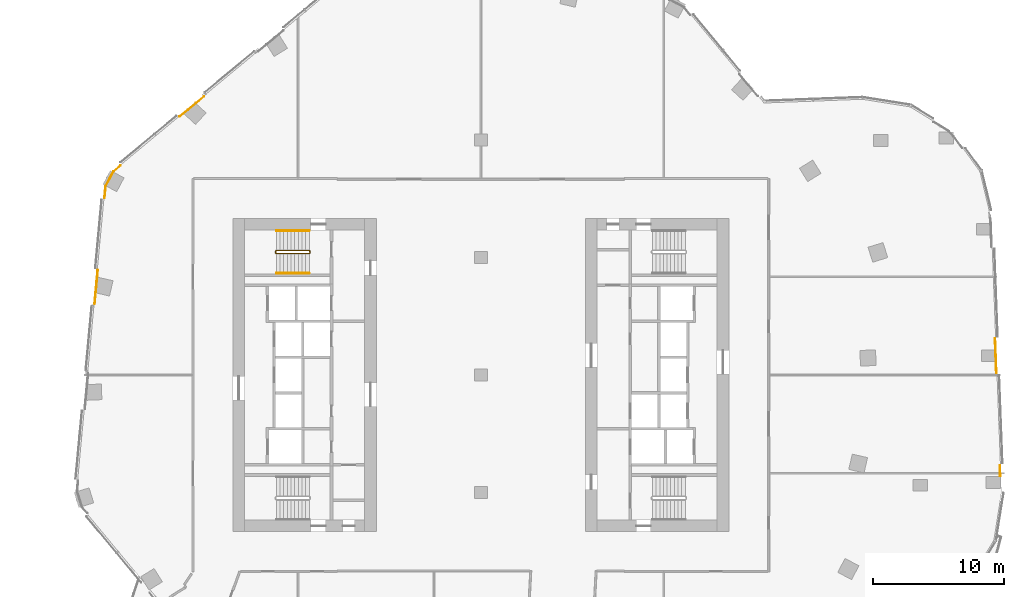
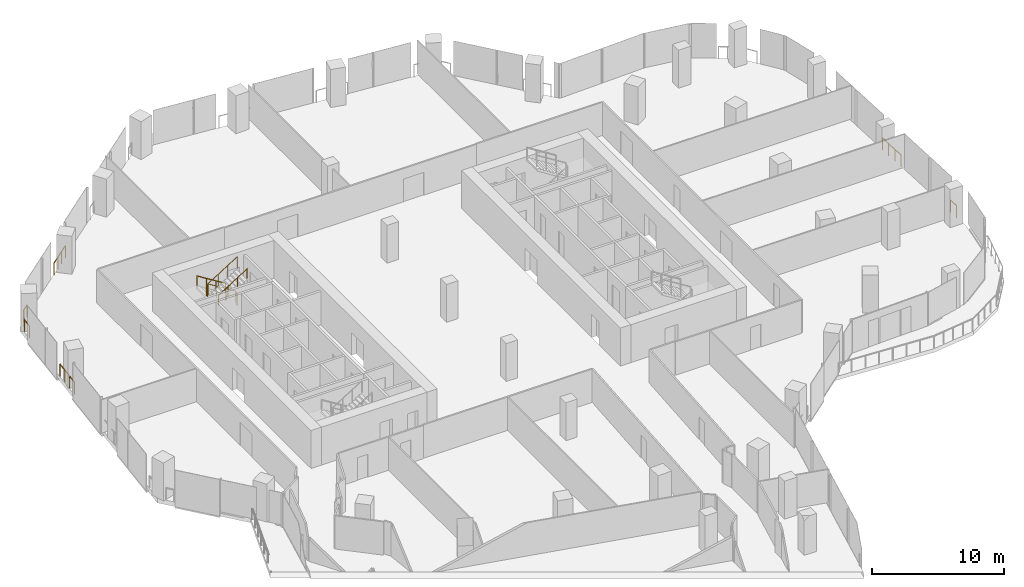
# One storey, part 26 of 28: 8 railings.
"""IFC4 building model written with IfcOpenShell, lengths in metres."""

import ifcopenshell
import ifcopenshell.guid

model = None  # the IFC model being written
_history = None  # IfcOwnerHistory: only IFC2X3 demands one
_inside = {}  # id of a spatial element -> (the spatial element, [elements in it])
_under = {}  # id of a project, library or spatial element -> (it, [spatial elements below it])
_declared = {}  # id of a project -> (the project, [libraries it declares])
_typed = {}  # id of a type object -> (the type object, [elements of that type])
_made_of = {}  # id of a material, layer set ... -> (it, [elements and type objects made of it])


def new_model(schema):
    """Start an empty IFC model of exactly this schema.

    Asked for "IFC4X3", IfcOpenShell would pick the latest addendum, in which some entities
    have other attributes; the version numbers below select the first issue.
    IFC2X3 requires an IfcOwnerHistory on every rooted entity: one is made here for all.
    """
    global model, _history
    if schema == "IFC4X3":
        model = ifcopenshell.file(schema_version=(4, 3, 0, 0))
    else:
        model = ifcopenshell.file(schema=schema)
    _inside.clear()
    _under.clear()
    _declared.clear()
    _typed.clear()
    _made_of.clear()
    _history = None
    if model.schema == "IFC2X3":
        org = make("IfcOrganization", Name="unknown")
        user = make(
            "IfcPersonAndOrganization",
            ThePerson=make("IfcPerson", FamilyName="unknown"),
            TheOrganization=org,
        )
        app = make(
            "IfcApplication",
            ApplicationDeveloper=org,
            Version="unknown",
            ApplicationFullName="unknown",
            ApplicationIdentifier="unknown",
        )
        _history = make(
            "IfcOwnerHistory",
            OwningUser=user,
            OwningApplication=app,
            ChangeAction="ADDED",
            CreationDate=0,
        )
    return model


def make(cls, **values):
    """One entity of the class cls with the attributes given. An attribute that is None is left unset."""
    return model.create_entity(
        cls, **{name: value for name, value in values.items() if value is not None}
    )


def rooted(cls, **values):
    """An entity with a GlobalId (a new one), such as an element, a storey or a relation."""
    return make(cls, GlobalId=ifcopenshell.guid.new(), OwnerHistory=_history, **values)


def si_unit(unit_type, name, prefix=None):
    """IfcSIUnit, for example si_unit("LENGTHUNIT", "METRE", prefix="MILLI")."""
    return make("IfcSIUnit", UnitType=unit_type, Prefix=prefix, Name=name)


def assignment(units):
    """IfcUnitAssignment: the units of a project."""
    return None if units is None else make("IfcUnitAssignment", Units=units)


def point(xyz):
    """IfcCartesianPoint."""
    return None if xyz is None else make("IfcCartesianPoint", Coordinates=xyz)


def direction(xyz):
    """IfcDirection."""
    return None if xyz is None else make("IfcDirection", DirectionRatios=xyz)


def frame(location, z_axis=None, x_axis=None):
    """IfcAxis2Placement3D, a coordinate frame: its origin and axes. An axis left out is left unset."""
    return make(
        "IfcAxis2Placement3D",
        Location=point(location),
        Axis=direction(z_axis),
        RefDirection=direction(x_axis),
    )


def frame_2d(location, x_axis=None):
    """IfcAxis2Placement2D, a coordinate frame in the plane: its origin and x axis."""
    return make(
        "IfcAxis2Placement2D", Location=point(location), RefDirection=direction(x_axis)
    )


def origin():
    """The frame at (0, 0, 0) with its axes left unset."""
    return frame((0.0, 0.0, 0.0))


def origin_2d():
    """The frame at (0, 0) in the plane with its x axis left unset."""
    return frame_2d((0.0, 0.0))


def place(relative_to, where):
    """IfcLocalPlacement: puts the frame where relative to a parent placement (None: the world)."""
    return make(
        "IfcLocalPlacement", PlacementRelTo=relative_to, RelativePlacement=where
    )


def context(
    kind, dimensions, precision=None, world=None, true_north=None, identifier=None
):
    """IfcGeometricRepresentationContext, for example the 3D "Model" context."""
    return make(
        "IfcGeometricRepresentationContext",
        ContextIdentifier=identifier,
        ContextType=kind,
        CoordinateSpaceDimension=dimensions,
        Precision=precision,
        WorldCoordinateSystem=world,
        TrueNorth=true_north,
    )


def subcontext(parent, identifier, kind, view, scale=None):
    """IfcGeometricRepresentationSubContext, for example "Body" below "Model"."""
    return make(
        "IfcGeometricRepresentationSubContext",
        ContextIdentifier=identifier,
        ContextType=kind,
        ParentContext=parent,
        TargetScale=scale,
        TargetView=view,
    )


def project(units=None, contexts=None):
    """IfcProject with its units and contexts."""
    return rooted(
        "IfcProject",
        Name="project",
        RepresentationContexts=contexts,
        UnitsInContext=assignment(units),
    )


def spatial(cls, under=None, at=None, **own):
    """A site, building, storey or space (cls), placed at a placement, below another one or the project."""
    s = rooted(cls, ObjectPlacement=at, **own)
    if under is not None:
        _under.setdefault(under.id(), (under, []))[1].append(s)
    return s


def profile(cls, at=None, kind="AREA", **sizes):
    """A parametric profile (cls). Its sizes go by their IFC names, for example OverallWidth=200.0."""
    return make(cls, ProfileType=kind, Position=at, **sizes)


def circle(**sizes):
    """IfcCircleProfileDef."""
    return profile("IfcCircleProfileDef", **sizes)


def extrude(swept, where, along, depth):
    """IfcExtrudedAreaSolid: the profile swept, set in the frame where, extruded along a direction by depth."""
    return make(
        "IfcExtrudedAreaSolid",
        SweptArea=swept,
        Position=where,
        ExtrudedDirection=direction(along),
        Depth=depth,
    )


def shape(context_of_items, identifier, shape_type, items):
    """IfcShapeRepresentation: the items that make up one representation, for example the "Body"."""
    return make(
        "IfcShapeRepresentation",
        ContextOfItems=context_of_items,
        RepresentationIdentifier=identifier,
        RepresentationType=shape_type,
        Items=items,
    )


def material(Name=None, Category=None):
    """IfcMaterial."""
    return make("IfcMaterial", Name=Name, Category=Category)


def made_of(thing, what):
    """Note that an element or type object is made of a material, layer set ...; save() writes the relation."""
    if what is not None:
        _made_of.setdefault(what.id(), (what, []))[1].append(thing)
    return thing


def type_object(cls, material=None, **own):
    """A type object (cls), such as IfcWallType, which elements share."""
    return made_of(rooted(cls, **own), material)


def element(
    cls,
    number,
    at=None,
    inside=None,
    cuts=None,
    type_object=None,
    material=None,
    context=None,
    identifier="Body",
    shape_type=None,
    held_by="IfcProductDefinitionShape",
    body=None,
    shapes=None,
    **own,
):
    """One element of the class cls, such as IfcWall. Its Tag is "e" and its number.

    at: its placement. inside: the storey or other place that contains it. cuts: it is an
    opening in that element (IfcRelVoidsElement). A single representation is given by context,
    identifier, shape_type and body (its items); several are given by shapes. held_by: the class
    of the entity that holds the representations. save() writes the other relations.
    """
    e = rooted(cls, Tag="e%d" % number, ObjectPlacement=at, **own)
    if body is not None:
        shapes = [shape(context, identifier, shape_type, body)]
    if shapes is not None:
        e.Representation = make(held_by, Representations=shapes)
    if inside is not None:
        _inside.setdefault(inside.id(), (inside, []))[1].append(e)
    if cuts is not None:
        rooted(
            "IfcRelVoidsElement", RelatingBuildingElement=cuts, RelatedOpeningElement=e
        )
    if type_object is not None:
        _typed.setdefault(type_object.id(), (type_object, []))[1].append(e)
    return made_of(e, material)


def aggregate(whole, parts):
    """IfcRelAggregates: a whole, such as a stair, and the parts it consists of."""
    return rooted("IfcRelAggregates", RelatingObject=whole, RelatedObjects=parts)


def save(model, path):
    """Write the relations noted so far, then the file.

    IfcRelAggregates (storeys below a building ...), IfcRelContainedInSpatialStructure (elements
    in a storey), IfcRelDefinesByType, IfcRelAssociatesMaterial and IfcRelDeclares: one each for
    every whole, place, type object, material and project.
    """
    for whole, parts in _under.values():
        aggregate(whole, parts)
    for where, things in _inside.values():
        rooted(
            "IfcRelContainedInSpatialStructure",
            RelatedElements=things,
            RelatingStructure=where,
        )
    for kind, things in _typed.values():
        rooted("IfcRelDefinesByType", RelatedObjects=things, RelatingType=kind)
    for what, things in _made_of.values():
        rooted("IfcRelAssociatesMaterial", RelatedObjects=things, RelatingMaterial=what)
    for by, libraries in _declared.values():
        rooted("IfcRelDeclares", RelatingContext=by, RelatedDefinitions=libraries)
    model.write(path)


model = new_model("IFC4")

# Units and contexts
model_context = context("Model", 3, precision=1e-05, world=origin(), true_north=direction((0.0, 1.0)))
body_context = subcontext(model_context, "Body", "Model", "MODEL_VIEW")
ifc_project = project(units=[si_unit("LENGTHUNIT", "METRE"), si_unit("AREAUNIT", "SQUARE_METRE"), si_unit("VOLUMEUNIT", "CUBIC_METRE"), si_unit("PLANEANGLEUNIT", "RADIAN"), si_unit("MASSUNIT", "GRAM", prefix="KILO")], contexts=[model_context])

# Site, building, storey
site_placement = place(None, origin())
site = spatial("IfcSite", under=ifc_project, at=site_placement, CompositionType="ELEMENT")
building_placement = place(site_placement, origin())
building = spatial("IfcBuilding", under=site, at=building_placement, Name="Orlundy Tower", CompositionType="ELEMENT")
storey_placement = place(building_placement, frame((0.0, 0.0, 167.10009765625)))
storey = spatial("IfcBuildingStorey", under=building, at=storey_placement, Name="L43", CompositionType="ELEMENT", Elevation=167.10009765625)

# Railings
ifc_material_1 = material(Name="Steel balustrade", Category="steel")
railing_type_1 = type_object("IfcRailingType", Name="Stair Guard 1100", PredefinedType="GUARDRAIL", material=ifc_material_1)
railing_1_placement = place(storey_placement, frame((-13.090087890625, 9.5, 0.0)))
element("IfcRailing", 1, at=railing_1_placement, inside=storey, type_object=railing_type_1, Name="L43 ST-W1 stair guard 1", PredefinedType="GUARDRAIL", context=body_context, shape_type="SweptSolid", body=[
    extrude(circle(Radius=0.02392578125, at=origin_2d()), frame((0.0, 0.0, 1.076171875), z_axis=(0.0, -1.0, 0.0), x_axis=(1.0, 0.0, 0.0)), (0.0, 0.0, 1.0), 0.14990234375),
    extrude(circle(Radius=0.02392578125, at=origin_2d()), frame((0.0, -0.14990234375, 1.076171875), z_axis=(-0.184313129624, 0.739963005698, 0.646902945152), x_axis=(-0.970351222016, -0.241699205484, 0.0)), (0.0, 0.0, 1.0), 0.270263671875),
    extrude(circle(Radius=0.02392578125, at=origin_2d()), frame((-0.0498046875, 0.050048828125, 1.2509765625), z_axis=(-0.847970611238, 0.0, 0.530043245855), x_axis=(0.0, -1.0, 0.0)), (0.0, 0.0, 1.0), 2.971923828125),
    extrude(circle(Radius=0.02392578125, at=origin_2d()), frame((-2.56982421875, 0.050048828125, 2.826171875), z_axis=(-0.707106781187, -0.707106781187, 0.0), x_axis=(0.707106781187, -0.707106781187, 0.0)), (0.0, 0.0, 1.0), 0.07080078125),
    extrude(circle(Radius=0.02392578125, at=origin_2d()), frame((-2.619873046875, 0.0, 2.826171875), z_axis=(0.0, -1.0, 0.0), x_axis=(1.0, 0.0, 0.0)), (0.0, 0.0, 1.0), 0.14990234375),
    extrude(circle(Radius=0.02392578125, at=origin_2d()), frame((-2.619873046875, -0.14990234375, 2.826171875), z_axis=(0.265383341853, -0.265383341853, 0.926899867156), x_axis=(0.707106781187, 0.707106781187, 0.0)), (0.0, 0.0, 1.0), 0.1884765625),
    extrude(circle(Radius=0.02392578125, at=origin_2d()), frame((-2.56982421875, -0.199951171875, 3.0009765625), z_axis=(0.847970611238, 0.0, 0.530043245855), x_axis=(0.0, 1.0, 0.0)), (0.0, 0.0, 1.0), 2.971923828125),
    extrude(circle(Radius=0.02099609375, at=origin_2d()), origin(), (0.0, 0.0, 1.0), 1.052001953125),
    extrude(circle(Radius=0.02099609375, at=origin_2d()), frame((0.0, -0.14990234375, 0.0)), (0.0, 0.0, 1.0), 1.052001953125),
    extrude(circle(Radius=0.02099609375, at=origin_2d()), frame((-0.0498046875, 0.050048828125, 0.1748046875)), (0.0, 0.0, 1.0), 1.052001953125),
    extrude(circle(Radius=0.02099609375, at=origin_2d()), frame((-0.889892578125, 0.050048828125, 0.699951171875)), (0.0, 0.0, 1.0), 1.052001953125),
    extrude(circle(Radius=0.02099609375, at=origin_2d()), frame((-1.729736328125, 0.050048828125, 1.224853515625)), (0.0, 0.0, 1.0), 1.052001953125),
    extrude(circle(Radius=0.02099609375, at=origin_2d()), frame((-2.56982421875, 0.050048828125, 1.75)), (0.0, 0.0, 1.0), 1.052001953125),
    extrude(circle(Radius=0.02099609375, at=origin_2d()), frame((-2.619873046875, 0.0, 1.75)), (0.0, 0.0, 1.0), 1.052001953125),
    extrude(circle(Radius=0.02099609375, at=origin_2d()), frame((-2.619873046875, -0.14990234375, 1.75)), (0.0, 0.0, 1.0), 1.052001953125),
    extrude(circle(Radius=0.02099609375, at=origin_2d()), frame((-2.56982421875, -0.199951171875, 1.9248046875)), (0.0, 0.0, 1.0), 1.052001953125),
    extrude(circle(Radius=0.02099609375, at=origin_2d()), frame((-1.729736328125, -0.199951171875, 2.449951171875)), (0.0, 0.0, 1.0), 1.052001953125),
    extrude(circle(Radius=0.02099609375, at=origin_2d()), frame((-0.889892578125, -0.199951171875, 2.974853515625)), (0.0, 0.0, 1.0), 1.052001953125),
    extrude(circle(Radius=0.02099609375, at=origin_2d()), frame((-0.0498046875, -0.199951171875, 3.5)), (0.0, 0.0, 1.0), 1.052001953125),
])
ifc_material_2 = material(Name="Steel handrail", Category="steel")
railing_type_2 = type_object("IfcRailingType", Name="Stair Handrail 900", PredefinedType="HANDRAIL", material=ifc_material_2)
railing_2_placement = place(storey_placement, frame((-13.139892578125, 11.050048828125, 0.1748046875)))
element("IfcRailing", 2, at=railing_2_placement, inside=storey, type_object=railing_type_2, Name="L43 ST-W1 stair handrail 1", PredefinedType="HANDRAIL", context=body_context, shape_type="SweptSolid", body=[
    extrude(circle(Radius=0.02392578125, at=origin_2d()), frame((0.0, 0.0, 0.8759765625), z_axis=(-0.847970611238, 0.0, 0.530043245855), x_axis=(0.0, -1.0, 0.0)), (0.0, 0.0, 1.0), 2.971923828125),
    extrude(circle(Radius=0.02099609375, at=origin_2d()), origin(), (0.0, 0.0, 1.0), 0.851806640625),
    extrude(circle(Radius=0.02099609375, at=origin_2d()), frame((-0.840087890625, 0.0, 0.525146484375)), (0.0, 0.0, 1.0), 0.851806640625),
    extrude(circle(Radius=0.02099609375, at=origin_2d()), frame((-1.679931640625, 0.0, 1.050048828125)), (0.0, 0.0, 1.0), 0.851806640625),
    extrude(circle(Radius=0.02099609375, at=origin_2d()), frame((-2.52001953125, 0.0, 1.5751953125)), (0.0, 0.0, 1.0), 0.851806640625),
])
railing_3_placement = place(storey_placement, frame((-15.659912109375, 7.800048828125, 1.9248046875)))
element("IfcRailing", 3, at=railing_3_placement, inside=storey, type_object=railing_type_2, Name="L43 ST-W1 stair handrail 2", PredefinedType="HANDRAIL", context=body_context, shape_type="SweptSolid", body=[
    extrude(circle(Radius=0.02392578125, at=origin_2d()), frame((0.0, 0.0, 0.8759765625), z_axis=(0.847970611238, 0.0, 0.530043245855), x_axis=(0.0, 1.0, 0.0)), (0.0, 0.0, 1.0), 2.971923828125),
    extrude(circle(Radius=0.02099609375, at=origin_2d()), origin(), (0.0, 0.0, 1.0), 0.851806640625),
    extrude(circle(Radius=0.02099609375, at=origin_2d()), frame((0.840087890625, 0.0, 0.525146484375)), (0.0, 0.0, 1.0), 0.851806640625),
    extrude(circle(Radius=0.02099609375, at=origin_2d()), frame((1.679931640625, 0.0, 1.050048828125)), (0.0, 0.0, 1.0), 0.851806640625),
    extrude(circle(Radius=0.02099609375, at=origin_2d()), frame((2.52001953125, 0.0, 1.5751953125)), (0.0, 0.0, 1.0), 0.851806640625),
])
ifc_material_3 = material(Name="Stainless steel bronze finish", Category="steel")
railing_type_3 = type_object("IfcRailingType", Name="TG1 terrace guard", PredefinedType="GUARDRAIL", material=ifc_material_3)
railing_4_placement = place(storey_placement, frame((-28.824951171875, 13.55224609375, 0.0)))
element("IfcRailing", 4, at=railing_4_placement, inside=storey, type_object=railing_type_3, Name="Guard TG-L43-E03", PredefinedType="GUARDRAIL", context=body_context, shape_type="SweptSolid", body=[
    extrude(circle(Radius=0.02490234375, at=origin_2d()), frame((0.0, 0.0, 1.09521484375), z_axis=(0.092993030691, 0.995666759635, 0.0), x_axis=(-0.995666759635, 0.092993030691, 0.0)), (0.0, 0.0, 1.0), 0.91357421875),
    extrude(circle(Radius=0.02490234375, at=origin_2d()), frame((0.0849609375, 0.90966796875, 1.09521484375), z_axis=(0.466792298039, 0.884366977273, 0.0), x_axis=(-0.884366977273, 0.466792298039, 0.0)), (0.0, 0.0, 1.0), 1.260009765625),
    extrude(circle(Radius=0.02490234375, at=origin_2d()), frame((0.673095703125, 2.02392578125, 1.09521484375), z_axis=(0.76986635413, 0.63820513691, 0.0), x_axis=(-0.63820513691, 0.76986635413, 0.0)), (0.0, 0.0, 1.0), 0.728759765625),
    extrude(circle(Radius=0.02001953125, at=origin_2d()), origin(), (0.0, 0.0, 1.0), 1.070068359375),
    extrude(circle(Radius=0.02001953125, at=origin_2d()), frame((0.0849609375, 0.90966796875, 0.0)), (0.0, 0.0, 1.0), 1.070068359375),
    extrude(circle(Radius=0.02001953125, at=origin_2d()), frame((0.37890625, 1.466796875, 0.0)), (0.0, 0.0, 1.0), 1.070068359375),
    extrude(circle(Radius=0.02001953125, at=origin_2d()), frame((0.673095703125, 2.02392578125, 0.0)), (0.0, 0.0, 1.0), 1.070068359375),
    extrude(circle(Radius=0.02001953125, at=origin_2d()), frame((1.234130859375, 2.489013671875, 0.0)), (0.0, 0.0, 1.0), 1.070068359375),
])
railing_5_placement = place(storey_placement, frame((39.383056640625, 2.7841796875, 0.0)))
element("IfcRailing", 5, at=railing_5_placement, inside=storey, type_object=railing_type_3, Name="Guard TG-L43-E012", PredefinedType="GUARDRAIL", context=body_context, shape_type="SweptSolid", body=[
    extrude(circle(Radius=0.02490234375, at=origin_2d()), frame((0.0, 0.0, 1.09521484375), z_axis=(0.037862121694, -0.999282972806, 0.0), x_axis=(0.999282972806, 0.037862121694, 0.0)), (0.0, 0.0, 1.0), 2.643798828125),
    extrude(circle(Radius=0.02001953125, at=origin_2d()), origin(), (0.0, 0.0, 1.0), 1.070068359375),
    extrude(circle(Radius=0.02001953125, at=origin_2d()), frame((0.033447265625, -0.880615234375, 0.0)), (0.0, 0.0, 1.0), 1.070068359375),
    extrude(circle(Radius=0.02001953125, at=origin_2d()), frame((0.066650390625, -1.76123046875, 0.0)), (0.0, 0.0, 1.0), 1.070068359375),
    extrude(circle(Radius=0.02001953125, at=origin_2d()), frame((0.10009765625, -2.641845703125, 0.0)), (0.0, 0.0, 1.0), 1.070068359375),
])
railing_6_placement = place(storey_placement, frame((-29.58056640625, 5.45849609375, 0.0)))
element("IfcRailing", 6, at=railing_6_placement, inside=storey, type_object=railing_type_3, Name="Guard TG-L43-E013", PredefinedType="GUARDRAIL", context=body_context, shape_type="SweptSolid", body=[
    extrude(circle(Radius=0.02490234375, at=origin_2d()), frame((0.0, 0.0, 1.09521484375), z_axis=(0.09295695095, 0.995670128742, 0.0), x_axis=(-0.995670128742, 0.09295695095, 0.0)), (0.0, 0.0, 1.0), 2.581787109375),
    extrude(circle(Radius=0.02001953125, at=origin_2d()), origin(), (0.0, 0.0, 1.0), 1.070068359375),
    extrude(circle(Radius=0.02001953125, at=origin_2d()), frame((0.080078125, 0.85693359375, 0.0)), (0.0, 0.0, 1.0), 1.070068359375),
    extrude(circle(Radius=0.02001953125, at=origin_2d()), frame((0.159912109375, 1.713623046875, 0.0)), (0.0, 0.0, 1.0), 1.070068359375),
    extrude(circle(Radius=0.02001953125, at=origin_2d()), frame((0.239990234375, 2.570556640625, 0.0)), (0.0, 0.0, 1.0), 1.070068359375),
])
railing_7_placement = place(storey_placement, frame((-23.068603515625, 19.791259765625, 0.0)))
element("IfcRailing", 7, at=railing_7_placement, inside=storey, type_object=railing_type_3, Name="Guard TG-L43-E016", PredefinedType="GUARDRAIL", context=body_context, shape_type="SweptSolid", body=[
    extrude(circle(Radius=0.02490234375, at=origin_2d()), frame((0.0, 0.0, 1.09521484375), z_axis=(0.769802341642, 0.638282347244, 0.0), x_axis=(-0.638282347244, 0.769802341642, 0.0)), (0.0, 0.0, 1.0), 2.439208984375),
    extrude(circle(Radius=0.02001953125, at=origin_2d()), origin(), (0.0, 0.0, 1.0), 1.070068359375),
    extrude(circle(Radius=0.02001953125, at=origin_2d()), frame((0.6259765625, 0.51904296875, 0.0)), (0.0, 0.0, 1.0), 1.070068359375),
    extrude(circle(Radius=0.02001953125, at=origin_2d()), frame((1.251708984375, 1.037841796875, 0.0)), (0.0, 0.0, 1.0), 1.070068359375),
    extrude(circle(Radius=0.02001953125, at=origin_2d()), frame((1.877685546875, 1.556884765625, 0.0)), (0.0, 0.0, 1.0), 1.070068359375),
])
railing_8_placement = place(storey_placement, frame((39.75, -6.908203125, 0.0)))
element("IfcRailing", 8, at=railing_8_placement, inside=storey, type_object=railing_type_3, Name="Guard TG-L43-E023", PredefinedType="GUARDRAIL", context=body_context, shape_type="SweptSolid", body=[
    extrude(circle(Radius=0.02490234375, at=origin_2d()), frame((0.0, 0.0, 1.09521484375), z_axis=(0.037747602454, -0.999287305288, 0.0), x_axis=(0.999287305288, 0.037747602454, 0.0)), (0.0, 0.0, 1.0), 0.834228515625),
    extrude(circle(Radius=0.02001953125, at=origin_2d()), origin(), (0.0, 0.0, 1.0), 1.070068359375),
    extrude(circle(Radius=0.02001953125, at=origin_2d()), frame((0.031494140625, -0.833740234375, 0.0)), (0.0, 0.0, 1.0), 1.070068359375),
])

save(model, "model.ifc")
